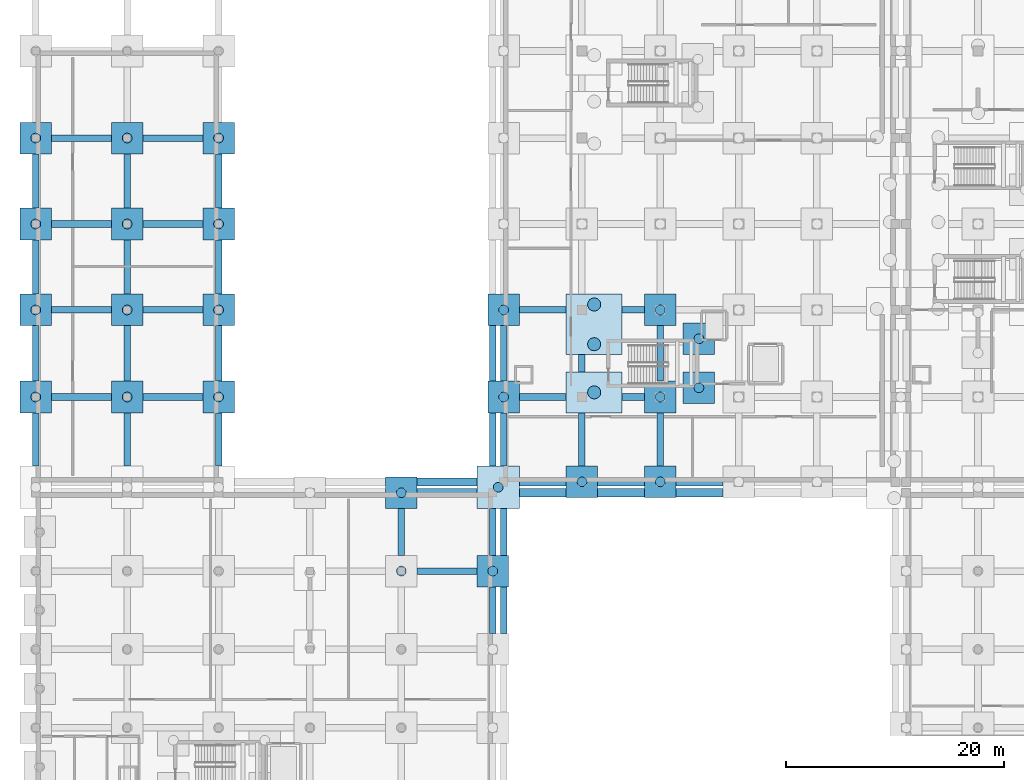
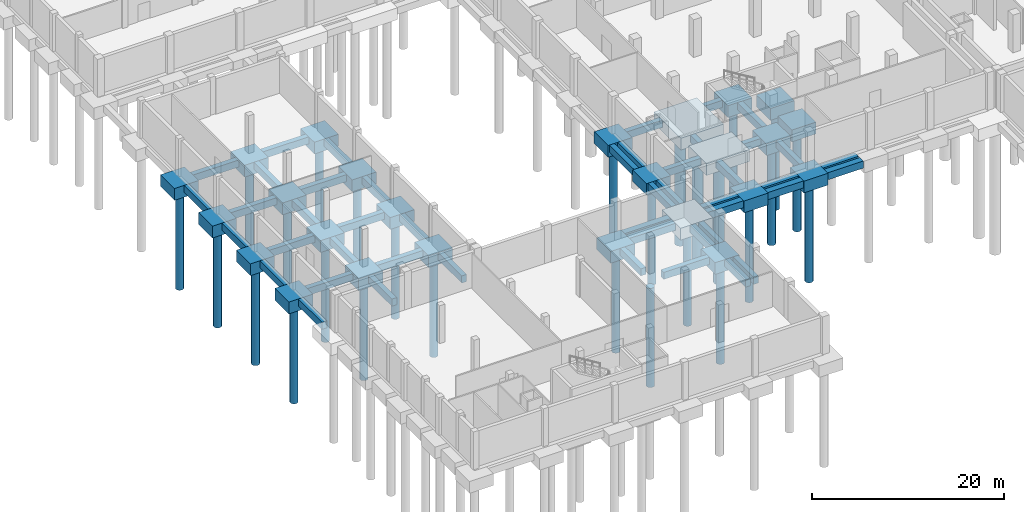
# One storey, part 2 of 29: 71 footings, 27 piles.
"""IFC4 building model written with IfcOpenShell, lengths in metres."""

from ifc_helpers import new_model, si_unit, direction, frame, origin, origin_2d, place, context, subcontext, project, spatial, polyline, rectangle, circle, outline, extrude, material, material_profile, profile_set, type_object, element, save


model = new_model("IFC4")

# Units and contexts
model_context = context("Model", 3, precision=1e-05, world=origin(), true_north=direction((0.0, 1.0)))
body_context = subcontext(model_context, "Body", "Model", "MODEL_VIEW")
ifc_project = project(units=[si_unit("LENGTHUNIT", "METRE"), si_unit("AREAUNIT", "SQUARE_METRE"), si_unit("VOLUMEUNIT", "CUBIC_METRE"), si_unit("PLANEANGLEUNIT", "RADIAN"), si_unit("MASSUNIT", "GRAM", prefix="KILO")], contexts=[model_context])

# Site, building, storey
site_placement = place(None, origin())
site = spatial("IfcSite", under=ifc_project, at=site_placement, CompositionType="ELEMENT")
building_placement = place(site_placement, origin())
building = spatial("IfcBuilding", under=site, at=building_placement, Name="Kelarvand Opera House", CompositionType="ELEMENT")
storey_placement = place(building_placement, frame((0.0, 0.0, -9.60009765625)))
storey = spatial("IfcBuildingStorey", under=building, at=storey_placement, Name="B2", CompositionType="ELEMENT", Elevation=-9.60009765625)

# Piles
ifc_material = material(Name="Concrete C40/50", Category="concrete")
ifc_material_profile_1 = material_profile(ifc_material, circle(Radius=0.60009765625, at=origin_2d()), Name="BP 1200", Category="concrete")
ifc_profile_set_1 = profile_set([ifc_material_profile_1], Name="Concrete C40/50")
pile_type_1 = type_object("IfcPileType", Name="Bored Pile 1200 Concrete C40/50", PredefinedType="BORED", material=ifc_profile_set_1)
for number, where, z_axis, x_axis, name in (
    (1, (60.324951171875, 47.02490234375, -1.7998046875), (0.0, 0.0, -1.0), (1.0, 0.0, 0.0), "V2 Bored Pile 119"),
    (2, (60.324951171875, 51.449951171875, -1.7998046875), (0.0, 0.0, -1.0), (1.0, 0.0, 0.0), "V2 Bored Pile 134"),
    (3, (60.324951171875, 55.10009765625, -1.7998046875), (0.0, 0.0, -1.0), (1.0, 0.0, 0.0), "V2 Bored Pile 135"),
):
    element("IfcPile", number, at=place(storey_placement, frame(where, z_axis=z_axis, x_axis=x_axis)), inside=storey, type_object=pile_type_1, Name=name, PredefinedType="BORED", context=body_context, shape_type="SweptSolid", body=[
        extrude(circle(Radius=0.60009765625, at=origin_2d()), origin(), (0.0, 0.0, 1.0), 15.60009765625),
    ])
ifc_material_profile_2 = material_profile(ifc_material, circle(Radius=0.449951171875, at=origin_2d()), Name="BP 900", Category="concrete")
ifc_profile_set_2 = profile_set([ifc_material_profile_2], Name="Concrete C40/50")
pile_type_2 = type_object("IfcPileType", Name="Bored Pile 900 Concrete C40/50", PredefinedType="BORED", material=ifc_profile_set_2)
for number, where, z_axis, x_axis, name in (
    (4, (42.60009765625, 30.60009765625, -1.7998046875), (0.0, 0.0, -1.0), (1.0, 0.0, 0.0), "V4 Bored Pile 76"),
    (5, (51.0, 30.60009765625, -1.7998046875), (0.0, 0.0, -1.0), (1.0, 0.0, 0.0), "V4 Bored Pile 77"),
    (6, (42.60009765625, 37.800048828125, -1.7998046875), (0.0, 0.0, -1.0), (1.0, 0.0, 0.0), "V4 Bored Pile 95"),
    (7, (51.5, 38.300048828125, -1.7998046875), (0.0, 0.0, -1.0), (1.0, 0.0, 0.0), "V2 Bored Pile 96"),
    (8, (59.199951171875, 38.800048828125, -1.7998046875), (0.0, 0.0, -1.0), (1.0, 0.0, 0.0), "V2 Bored Pile 111"),
    (9, (66.39990234375, 38.800048828125, -1.7998046875), (0.0, 0.0, -1.0), (1.0, 0.0, 0.0), "V2 Bored Pile 112"),
    (10, (9.0, 46.60009765625, -1.7998046875), (0.0, 0.0, -1.0), (1.0, 0.0, 0.0), "V4 Bored Pile 115"),
    (11, (17.39990234375, 46.60009765625, -1.7998046875), (0.0, 0.0, -1.0), (1.0, 0.0, 0.0), "V4 Bored Pile 116"),
    (12, (25.800048828125, 46.60009765625, -1.7998046875), (0.0, 0.0, -1.0), (1.0, 0.0, 0.0), "V4 Bored Pile 117"),
    (13, (52.0, 46.60009765625, -1.7998046875), (0.0, 0.0, -1.0), (1.0, 0.0, 0.0), "V2 Bored Pile 118"),
    (14, (66.39990234375, 46.60009765625, -1.7998046875), (0.0, 0.0, -1.0), (1.0, 0.0, 0.0), "V2 Bored Pile 120"),
    (15, (69.949951171875, 47.449951171875, -1.7998046875), (0.0, 0.0, -1.0), (1.0, 0.0, 0.0), "V2 Bored Pile 132"),
    (16, (69.949951171875, 51.949951171875, -1.7998046875), (0.0, 0.0, -1.0), (1.0, 0.0, 0.0), "V2 Bored Pile 136"),
    (17, (9.0, 54.60009765625, -1.7998046875), (0.0, 0.0, -1.0), (1.0, 0.0, 0.0), "V4 Bored Pile 140"),
    (18, (17.39990234375, 54.60009765625, -1.7998046875), (0.0, 0.0, -1.0), (1.0, 0.0, 0.0), "V4 Bored Pile 141"),
    (19, (25.800048828125, 54.60009765625, -1.7998046875), (0.0, 0.0, -1.0), (1.0, 0.0, 0.0), "V4 Bored Pile 142"),
    (20, (52.0, 54.60009765625, -1.7998046875), (0.0, 0.0, -1.0), (1.0, 0.0, 0.0), "V2 Bored Pile 143"),
    (21, (66.39990234375, 54.60009765625, -1.7998046875), (0.0, 0.0, -1.0), (1.0, 0.0, 0.0), "V2 Bored Pile 144"),
    (22, (9.0, 62.5, -1.7998046875), (0.0, 0.0, -1.0), (1.0, 0.0, 0.0), "V4 Bored Pile 161"),
    (23, (17.39990234375, 62.5, -1.7998046875), (0.0, 0.0, -1.0), (1.0, 0.0, 0.0), "V4 Bored Pile 162"),
    (24, (25.800048828125, 62.5, -1.7998046875), (0.0, 0.0, -1.0), (1.0, 0.0, 0.0), "V4 Bored Pile 163"),
    (25, (9.0, 70.39990234375, -1.7998046875), (0.0, 0.0, -1.0), (1.0, 0.0, 0.0), "V4 Bored Pile 180"),
    (26, (17.39990234375, 70.39990234375, -1.7998046875), (0.0, 0.0, -1.0), (1.0, 0.0, 0.0), "V4 Bored Pile 181"),
    (27, (25.800048828125, 70.39990234375, -1.7998046875), (0.0, 0.0, -1.0), (1.0, 0.0, 0.0), "V4 Bored Pile 182"),
):
    element("IfcPile", number, at=place(storey_placement, frame(where, z_axis=z_axis, x_axis=x_axis)), inside=storey, type_object=pile_type_2, Name=name, PredefinedType="BORED", context=body_context, shape_type="SweptSolid", body=[
        extrude(circle(Radius=0.449951171875, at=origin_2d()), origin(), (0.0, 0.0, 1.0), 12.60009765625),
    ])

# Footings
footing_type_1 = type_object("IfcFootingType", Name="Ground Tie Beam 600x900 Concrete C40/50", PredefinedType="FOOTING_BEAM", material=ifc_material)
footing_1_placement = place(storey_placement, frame((0.0, 0.0, -1.2998046875)))
element("IfcFooting", 28, at=footing_1_placement, inside=storey, type_object=footing_type_1, Name="Ground Beam 56", PredefinedType="FOOTING_BEAM", context=body_context, shape_type="SweptSolid", body=[
    extrude(outline(polyline([(44.050048828125, 30.300048828125), (49.550048828125, 30.300048828125), (49.550048828125, 30.89990234375), (44.050048828125, 30.89990234375), (44.050048828125, 30.300048828125)])), origin(), (0.0, 0.0, 1.0), 0.89990234375),
])
footing_2_placement = place(storey_placement, frame((0.0, 0.0, -1.2998046875)))
element("IfcFooting", 29, at=footing_2_placement, inside=storey, type_object=footing_type_1, Name="Ground Beam 113", PredefinedType="FOOTING_BEAM", context=body_context, shape_type="SweptSolid", body=[
    extrude(outline(polyline([(10.449951171875, 46.300048828125), (15.949951171875, 46.300048828125), (15.949951171875, 46.89990234375), (10.449951171875, 46.89990234375), (10.449951171875, 46.300048828125)])), origin(), (0.0, 0.0, 1.0), 0.89990234375),
])
footing_3_placement = place(storey_placement, frame((0.0, 0.0, -1.2998046875)))
element("IfcFooting", 30, at=footing_3_placement, inside=storey, type_object=footing_type_1, Name="Ground Beam 114", PredefinedType="FOOTING_BEAM", context=body_context, shape_type="SweptSolid", body=[
    extrude(outline(polyline([(18.85009765625, 46.300048828125), (24.35009765625, 46.300048828125), (24.35009765625, 46.89990234375), (18.85009765625, 46.89990234375), (18.85009765625, 46.300048828125)])), origin(), (0.0, 0.0, 1.0), 0.89990234375),
])
footing_4_placement = place(storey_placement, frame((0.0, 0.0, -1.2998046875)))
element("IfcFooting", 31, at=footing_4_placement, inside=storey, type_object=footing_type_1, Name="Ground Beam 115", PredefinedType="FOOTING_BEAM", context=body_context, shape_type="SweptSolid", body=[
    extrude(outline(polyline([(53.449951171875, 46.300048828125), (57.75, 46.300048828125), (57.75, 46.89990234375), (53.449951171875, 46.89990234375), (53.449951171875, 46.300048828125)])), origin(), (0.0, 0.0, 1.0), 0.89990234375),
])
footing_5_placement = place(storey_placement, frame((0.0, 0.0, -1.2998046875)))
element("IfcFooting", 32, at=footing_5_placement, inside=storey, type_object=footing_type_1, Name="Ground Beam 116", PredefinedType="FOOTING_BEAM", context=body_context, shape_type="SweptSolid", body=[
    extrude(outline(polyline([(62.89990234375, 46.300048828125), (64.949951171875, 46.300048828125), (64.949951171875, 46.89990234375), (62.89990234375, 46.89990234375), (62.89990234375, 46.300048828125)])), origin(), (0.0, 0.0, 1.0), 0.89990234375),
])
footing_6_placement = place(storey_placement, frame((0.0, 0.0, -1.2998046875)))
element("IfcFooting", 33, at=footing_6_placement, inside=storey, type_object=footing_type_1, Name="Ground Beam 127", PredefinedType="FOOTING_BEAM", context=body_context, shape_type="SweptSolid", body=[
    extrude(outline(polyline([(10.449951171875, 54.300048828125), (15.949951171875, 54.300048828125), (15.949951171875, 54.89990234375), (10.449951171875, 54.89990234375), (10.449951171875, 54.300048828125)])), origin(), (0.0, 0.0, 1.0), 0.89990234375),
])
footing_7_placement = place(storey_placement, frame((0.0, 0.0, -1.2998046875)))
element("IfcFooting", 34, at=footing_7_placement, inside=storey, type_object=footing_type_1, Name="Ground Beam 128", PredefinedType="FOOTING_BEAM", context=body_context, shape_type="SweptSolid", body=[
    extrude(outline(polyline([(18.85009765625, 54.300048828125), (24.35009765625, 54.300048828125), (24.35009765625, 54.89990234375), (18.85009765625, 54.89990234375), (18.85009765625, 54.300048828125)])), origin(), (0.0, 0.0, 1.0), 0.89990234375),
])
footing_8_placement = place(storey_placement, frame((0.0, 0.0, -1.2998046875)))
element("IfcFooting", 35, at=footing_8_placement, inside=storey, type_object=footing_type_1, Name="Ground Beam 129", PredefinedType="FOOTING_BEAM", context=body_context, shape_type="SweptSolid", body=[
    extrude(outline(polyline([(53.449951171875, 54.300048828125), (57.75, 54.300048828125), (57.75, 54.89990234375), (53.449951171875, 54.89990234375), (53.449951171875, 54.300048828125)])), origin(), (0.0, 0.0, 1.0), 0.89990234375),
])
footing_9_placement = place(storey_placement, frame((0.0, 0.0, -1.2998046875)))
element("IfcFooting", 36, at=footing_9_placement, inside=storey, type_object=footing_type_1, Name="Ground Beam 130", PredefinedType="FOOTING_BEAM", context=body_context, shape_type="SweptSolid", body=[
    extrude(outline(polyline([(62.89990234375, 54.300048828125), (64.949951171875, 54.300048828125), (64.949951171875, 54.89990234375), (62.89990234375, 54.89990234375), (62.89990234375, 54.300048828125)])), origin(), (0.0, 0.0, 1.0), 0.89990234375),
])
footing_10_placement = place(storey_placement, frame((0.0, 0.0, -1.2998046875)))
element("IfcFooting", 37, at=footing_10_placement, inside=storey, type_object=footing_type_1, Name="Ground Beam 142", PredefinedType="FOOTING_BEAM", context=body_context, shape_type="SweptSolid", body=[
    extrude(outline(polyline([(10.449951171875, 62.199951171875), (15.949951171875, 62.199951171875), (15.949951171875, 62.800048828125), (10.449951171875, 62.800048828125), (10.449951171875, 62.199951171875)])), origin(), (0.0, 0.0, 1.0), 0.89990234375),
])
footing_11_placement = place(storey_placement, frame((0.0, 0.0, -1.2998046875)))
element("IfcFooting", 38, at=footing_11_placement, inside=storey, type_object=footing_type_1, Name="Ground Beam 143", PredefinedType="FOOTING_BEAM", context=body_context, shape_type="SweptSolid", body=[
    extrude(outline(polyline([(18.85009765625, 62.199951171875), (24.35009765625, 62.199951171875), (24.35009765625, 62.800048828125), (18.85009765625, 62.800048828125), (18.85009765625, 62.199951171875)])), origin(), (0.0, 0.0, 1.0), 0.89990234375),
])
footing_12_placement = place(storey_placement, frame((0.0, 0.0, -1.2998046875)))
element("IfcFooting", 39, at=footing_12_placement, inside=storey, type_object=footing_type_1, Name="Ground Beam 156", PredefinedType="FOOTING_BEAM", context=body_context, shape_type="SweptSolid", body=[
    extrude(outline(polyline([(10.449951171875, 70.10009765625), (15.949951171875, 70.10009765625), (15.949951171875, 70.699951171875), (10.449951171875, 70.699951171875), (10.449951171875, 70.10009765625)])), origin(), (0.0, 0.0, 1.0), 0.89990234375),
])
footing_13_placement = place(storey_placement, frame((0.0, 0.0, -1.2998046875)))
element("IfcFooting", 40, at=footing_13_placement, inside=storey, type_object=footing_type_1, Name="Ground Beam 157", PredefinedType="FOOTING_BEAM", context=body_context, shape_type="SweptSolid", body=[
    extrude(outline(polyline([(18.85009765625, 70.10009765625), (24.35009765625, 70.10009765625), (24.35009765625, 70.699951171875), (18.85009765625, 70.699951171875), (18.85009765625, 70.10009765625)])), origin(), (0.0, 0.0, 1.0), 0.89990234375),
])
footing_14_placement = place(storey_placement, frame((0.0, 0.0, -1.2998046875)))
element("IfcFooting", 41, at=footing_14_placement, inside=storey, type_object=footing_type_1, Name="Ground Beam 263", PredefinedType="FOOTING_BEAM", context=body_context, shape_type="SweptSolid", body=[
    extrude(outline(polyline([(8.699951171875, 40.25), (9.300048828125, 40.25), (9.300048828125, 45.14990234375), (8.699951171875, 45.14990234375), (8.699951171875, 40.25)])), origin(), (0.0, 0.0, 1.0), 0.89990234375),
])
footing_15_placement = place(storey_placement, frame((0.0, 0.0, -1.2998046875)))
element("IfcFooting", 42, at=footing_15_placement, inside=storey, type_object=footing_type_1, Name="Ground Beam 264", PredefinedType="FOOTING_BEAM", context=body_context, shape_type="SweptSolid", body=[
    extrude(outline(polyline([(8.699951171875, 48.050048828125), (9.300048828125, 48.050048828125), (9.300048828125, 53.14990234375), (8.699951171875, 53.14990234375), (8.699951171875, 48.050048828125)])), origin(), (0.0, 0.0, 1.0), 0.89990234375),
])
footing_16_placement = place(storey_placement, frame((0.0, 0.0, -1.2998046875)))
element("IfcFooting", 43, at=footing_16_placement, inside=storey, type_object=footing_type_1, Name="Ground Beam 265", PredefinedType="FOOTING_BEAM", context=body_context, shape_type="SweptSolid", body=[
    extrude(outline(polyline([(8.699951171875, 56.050048828125), (9.300048828125, 56.050048828125), (9.300048828125, 61.050048828125), (8.699951171875, 61.050048828125), (8.699951171875, 56.050048828125)])), origin(), (0.0, 0.0, 1.0), 0.89990234375),
])
footing_17_placement = place(storey_placement, frame((0.0, 0.0, -1.2998046875)))
element("IfcFooting", 44, at=footing_17_placement, inside=storey, type_object=footing_type_1, Name="Ground Beam 266", PredefinedType="FOOTING_BEAM", context=body_context, shape_type="SweptSolid", body=[
    extrude(outline(polyline([(8.699951171875, 63.949951171875), (9.300048828125, 63.949951171875), (9.300048828125, 68.949951171875), (8.699951171875, 68.949951171875), (8.699951171875, 63.949951171875)])), origin(), (0.0, 0.0, 1.0), 0.89990234375),
])
footing_18_placement = place(storey_placement, frame((0.0, 0.0, -1.2998046875)))
element("IfcFooting", 45, at=footing_18_placement, inside=storey, type_object=footing_type_1, Name="Ground Beam 281", PredefinedType="FOOTING_BEAM", context=body_context, shape_type="SweptSolid", body=[
    extrude(outline(polyline([(17.10009765625, 40.25), (17.699951171875, 40.25), (17.699951171875, 45.14990234375), (17.10009765625, 45.14990234375), (17.10009765625, 40.25)])), origin(), (0.0, 0.0, 1.0), 0.89990234375),
])
footing_19_placement = place(storey_placement, frame((0.0, 0.0, -1.2998046875)))
element("IfcFooting", 46, at=footing_19_placement, inside=storey, type_object=footing_type_1, Name="Ground Beam 282", PredefinedType="FOOTING_BEAM", context=body_context, shape_type="SweptSolid", body=[
    extrude(outline(polyline([(17.10009765625, 48.050048828125), (17.699951171875, 48.050048828125), (17.699951171875, 53.14990234375), (17.10009765625, 53.14990234375), (17.10009765625, 48.050048828125)])), origin(), (0.0, 0.0, 1.0), 0.89990234375),
])
footing_20_placement = place(storey_placement, frame((0.0, 0.0, -1.2998046875)))
element("IfcFooting", 47, at=footing_20_placement, inside=storey, type_object=footing_type_1, Name="Ground Beam 283", PredefinedType="FOOTING_BEAM", context=body_context, shape_type="SweptSolid", body=[
    extrude(outline(polyline([(17.10009765625, 56.050048828125), (17.699951171875, 56.050048828125), (17.699951171875, 61.050048828125), (17.10009765625, 61.050048828125), (17.10009765625, 56.050048828125)])), origin(), (0.0, 0.0, 1.0), 0.89990234375),
])
footing_21_placement = place(storey_placement, frame((0.0, 0.0, -1.2998046875)))
element("IfcFooting", 48, at=footing_21_placement, inside=storey, type_object=footing_type_1, Name="Ground Beam 284", PredefinedType="FOOTING_BEAM", context=body_context, shape_type="SweptSolid", body=[
    extrude(outline(polyline([(17.10009765625, 63.949951171875), (17.699951171875, 63.949951171875), (17.699951171875, 68.949951171875), (17.10009765625, 68.949951171875), (17.10009765625, 63.949951171875)])), origin(), (0.0, 0.0, 1.0), 0.89990234375),
])
footing_22_placement = place(storey_placement, frame((0.0, 0.0, -1.2998046875)))
element("IfcFooting", 49, at=footing_22_placement, inside=storey, type_object=footing_type_1, Name="Ground Beam 295", PredefinedType="FOOTING_BEAM", context=body_context, shape_type="SweptSolid", body=[
    extrude(outline(polyline([(25.5, 40.25), (26.10009765625, 40.25), (26.10009765625, 45.14990234375), (25.5, 45.14990234375), (25.5, 40.25)])), origin(), (0.0, 0.0, 1.0), 0.89990234375),
])
footing_23_placement = place(storey_placement, frame((0.0, 0.0, -1.2998046875)))
element("IfcFooting", 50, at=footing_23_placement, inside=storey, type_object=footing_type_1, Name="Ground Beam 296", PredefinedType="FOOTING_BEAM", context=body_context, shape_type="SweptSolid", body=[
    extrude(outline(polyline([(25.5, 48.050048828125), (26.10009765625, 48.050048828125), (26.10009765625, 53.14990234375), (25.5, 53.14990234375), (25.5, 48.050048828125)])), origin(), (0.0, 0.0, 1.0), 0.89990234375),
])
footing_24_placement = place(storey_placement, frame((0.0, 0.0, -1.2998046875)))
element("IfcFooting", 51, at=footing_24_placement, inside=storey, type_object=footing_type_1, Name="Ground Beam 297", PredefinedType="FOOTING_BEAM", context=body_context, shape_type="SweptSolid", body=[
    extrude(outline(polyline([(25.5, 56.050048828125), (26.10009765625, 56.050048828125), (26.10009765625, 61.050048828125), (25.5, 61.050048828125), (25.5, 56.050048828125)])), origin(), (0.0, 0.0, 1.0), 0.89990234375),
])
footing_25_placement = place(storey_placement, frame((0.0, 0.0, -1.2998046875)))
element("IfcFooting", 52, at=footing_25_placement, inside=storey, type_object=footing_type_1, Name="Ground Beam 298", PredefinedType="FOOTING_BEAM", context=body_context, shape_type="SweptSolid", body=[
    extrude(outline(polyline([(25.5, 63.949951171875), (26.10009765625, 63.949951171875), (26.10009765625, 68.949951171875), (25.5, 68.949951171875), (25.5, 63.949951171875)])), origin(), (0.0, 0.0, 1.0), 0.89990234375),
])
footing_26_placement = place(storey_placement, frame((0.0, 0.0, -1.2998046875)))
element("IfcFooting", 53, at=footing_26_placement, inside=storey, type_object=footing_type_1, Name="Ground Beam 316", PredefinedType="FOOTING_BEAM", context=body_context, shape_type="SweptSolid", body=[
    extrude(outline(polyline([(42.300048828125, 32.050048828125), (42.89990234375, 32.050048828125), (42.89990234375, 36.35009765625), (42.300048828125, 36.35009765625), (42.300048828125, 32.050048828125)])), origin(), (0.0, 0.0, 1.0), 0.89990234375),
])
footing_27_placement = place(storey_placement, frame((0.0, 0.0, -1.2998046875)))
element("IfcFooting", 54, at=footing_27_placement, inside=storey, type_object=footing_type_1, Name="Ground Beam 323", PredefinedType="FOOTING_BEAM", context=body_context, shape_type="SweptSolid", body=[
    extrude(outline(polyline([(50.699951171875, 24.85009765625), (51.300048828125, 24.85009765625), (51.300048828125, 29.14990234375), (50.699951171875, 29.14990234375), (50.699951171875, 24.85009765625)])), origin(), (0.0, 0.0, 1.0), 0.89990234375),
])
footing_28_placement = place(storey_placement, frame((0.0, 0.0, -1.2998046875)))
element("IfcFooting", 55, at=footing_28_placement, inside=storey, type_object=footing_type_1, Name="Ground Beam 324", PredefinedType="FOOTING_BEAM", context=body_context, shape_type="SweptSolid", body=[
    extrude(outline(polyline([(50.699951171875, 32.050048828125), (51.300048828125, 32.050048828125), (51.300048828125, 36.35009765625), (50.699951171875, 36.35009765625), (50.699951171875, 32.050048828125)])), origin(), (0.0, 0.0, 1.0), 0.89990234375),
])
footing_29_placement = place(storey_placement, frame((0.0, 0.0, -1.2998046875)))
element("IfcFooting", 56, at=footing_29_placement, inside=storey, type_object=footing_type_1, Name="Ground Beam 325", PredefinedType="FOOTING_BEAM", context=body_context, shape_type="SweptSolid", body=[
    extrude(outline(polyline([(50.699951171875, 40.25), (51.300048828125, 40.25), (51.300048828125, 45.14990234375), (50.699951171875, 45.14990234375), (50.699951171875, 40.25)])), origin(), (0.0, 0.0, 1.0), 0.89990234375),
])
footing_30_placement = place(storey_placement, frame((0.0, 0.0, -1.2998046875)))
element("IfcFooting", 57, at=footing_30_placement, inside=storey, type_object=footing_type_1, Name="Ground Beam 326", PredefinedType="FOOTING_BEAM", context=body_context, shape_type="SweptSolid", body=[
    extrude(outline(polyline([(50.699951171875, 48.050048828125), (51.300048828125, 48.050048828125), (51.300048828125, 53.14990234375), (50.699951171875, 53.14990234375), (50.699951171875, 48.050048828125)])), origin(), (0.0, 0.0, 1.0), 0.89990234375),
])
footing_31_placement = place(storey_placement, frame((0.0, 0.0, -1.2998046875)))
element("IfcFooting", 58, at=footing_31_placement, inside=storey, type_object=footing_type_1, Name="Ground Beam 337", PredefinedType="FOOTING_BEAM", context=body_context, shape_type="SweptSolid", body=[
    extrude(outline(polyline([(51.699951171875, 24.85009765625), (52.300048828125, 24.85009765625), (52.300048828125, 29.14990234375), (51.699951171875, 29.14990234375), (51.699951171875, 24.85009765625)])), origin(), (0.0, 0.0, 1.0), 0.89990234375),
])
footing_32_placement = place(storey_placement, frame((0.0, 0.0, -1.2998046875)))
element("IfcFooting", 59, at=footing_32_placement, inside=storey, type_object=footing_type_1, Name="Ground Beam 338", PredefinedType="FOOTING_BEAM", context=body_context, shape_type="SweptSolid", body=[
    extrude(outline(polyline([(51.699951171875, 32.050048828125), (52.300048828125, 32.050048828125), (52.300048828125, 36.35009765625), (51.699951171875, 36.35009765625), (51.699951171875, 32.050048828125)])), origin(), (0.0, 0.0, 1.0), 0.89990234375),
])
footing_33_placement = place(storey_placement, frame((0.0, 0.0, -1.2998046875)))
element("IfcFooting", 60, at=footing_33_placement, inside=storey, type_object=footing_type_1, Name="Ground Beam 339", PredefinedType="FOOTING_BEAM", context=body_context, shape_type="SweptSolid", body=[
    extrude(outline(polyline([(51.699951171875, 40.25), (52.300048828125, 40.25), (52.300048828125, 45.14990234375), (51.699951171875, 45.14990234375), (51.699951171875, 40.25)])), origin(), (0.0, 0.0, 1.0), 0.89990234375),
])
footing_34_placement = place(storey_placement, frame((0.0, 0.0, -1.2998046875)))
element("IfcFooting", 61, at=footing_34_placement, inside=storey, type_object=footing_type_1, Name="Ground Beam 340", PredefinedType="FOOTING_BEAM", context=body_context, shape_type="SweptSolid", body=[
    extrude(outline(polyline([(51.699951171875, 48.050048828125), (52.300048828125, 48.050048828125), (52.300048828125, 53.14990234375), (51.699951171875, 53.14990234375), (51.699951171875, 48.050048828125)])), origin(), (0.0, 0.0, 1.0), 0.89990234375),
])
footing_35_placement = place(storey_placement, frame((0.0, 0.0, -1.2998046875)))
element("IfcFooting", 62, at=footing_35_placement, inside=storey, type_object=footing_type_1, Name="Ground Beam 349", PredefinedType="FOOTING_BEAM", context=body_context, shape_type="SweptSolid", body=[
    extrude(outline(polyline([(58.89990234375, 40.25), (59.5, 40.25), (59.5, 45.14990234375), (58.89990234375, 45.14990234375), (58.89990234375, 40.25)])), origin(), (0.0, 0.0, 1.0), 0.89990234375),
])
footing_36_placement = place(storey_placement, frame((0.0, 0.0, -1.2998046875)))
element("IfcFooting", 63, at=footing_36_placement, inside=storey, type_object=footing_type_1, Name="Ground Beam 350", PredefinedType="FOOTING_BEAM", context=body_context, shape_type="SweptSolid", body=[
    extrude(outline(polyline([(58.89990234375, 48.89990234375), (59.5, 48.89990234375), (59.5, 50.5), (58.89990234375, 50.5), (58.89990234375, 48.89990234375)])), origin(), (0.0, 0.0, 1.0), 0.89990234375),
])
footing_37_placement = place(storey_placement, frame((0.0, 0.0, -1.2998046875)))
element("IfcFooting", 64, at=footing_37_placement, inside=storey, type_object=footing_type_1, Name="Ground Beam 355", PredefinedType="FOOTING_BEAM", context=body_context, shape_type="SweptSolid", body=[
    extrude(outline(polyline([(66.10009765625, 40.25), (66.699951171875, 40.25), (66.699951171875, 45.14990234375), (66.10009765625, 45.14990234375), (66.10009765625, 40.25)])), origin(), (0.0, 0.0, 1.0), 0.89990234375),
])
footing_38_placement = place(storey_placement, frame((0.0, 0.0, -1.2998046875)))
element("IfcFooting", 65, at=footing_38_placement, inside=storey, type_object=footing_type_1, Name="Ground Beam 356", PredefinedType="FOOTING_BEAM", context=body_context, shape_type="SweptSolid", body=[
    extrude(outline(polyline([(66.10009765625, 48.050048828125), (66.699951171875, 48.050048828125), (66.699951171875, 53.14990234375), (66.10009765625, 53.14990234375), (66.10009765625, 48.050048828125)])), origin(), (0.0, 0.0, 1.0), 0.89990234375),
])
footing_type_2 = type_object("IfcFootingType", Name="Perimeter Strip Footing 750x900 Concrete C40/50", PredefinedType="STRIP_FOOTING", material=ifc_material)
footing_39_placement = place(storey_placement, frame((0.0, 0.0, -1.2998046875)))
element("IfcFooting", 66, at=footing_39_placement, inside=storey, type_object=footing_type_2, Name="Ground Beam 73", PredefinedType="STRIP_FOOTING", context=body_context, shape_type="SweptSolid", body=[
    extrude(outline(polyline([(44.050048828125, 37.425048828125), (49.550048828125, 37.425048828125), (49.550048828125, 38.175048828125), (44.050048828125, 38.175048828125), (44.050048828125, 37.425048828125)])), origin(), (0.0, 0.0, 1.0), 0.89990234375),
])
footing_40_placement = place(storey_placement, frame((0.0, 0.0, -1.2998046875)))
element("IfcFooting", 67, at=footing_40_placement, inside=storey, type_object=footing_type_2, Name="Ground Beam 74", PredefinedType="STRIP_FOOTING", context=body_context, shape_type="SweptSolid", body=[
    extrude(outline(polyline([(53.449951171875, 37.425048828125), (57.75, 37.425048828125), (57.75, 38.175048828125), (53.449951171875, 38.175048828125), (53.449951171875, 37.425048828125)])), origin(), (0.0, 0.0, 1.0), 0.89990234375),
])
footing_41_placement = place(storey_placement, frame((0.0, 0.0, -1.2998046875)))
element("IfcFooting", 68, at=footing_41_placement, inside=storey, type_object=footing_type_2, Name="Ground Beam 75", PredefinedType="STRIP_FOOTING", context=body_context, shape_type="SweptSolid", body=[
    extrude(outline(polyline([(60.64990234375, 37.425048828125), (64.949951171875, 37.425048828125), (64.949951171875, 38.175048828125), (60.64990234375, 38.175048828125), (60.64990234375, 37.425048828125)])), origin(), (0.0, 0.0, 1.0), 0.89990234375),
])
footing_42_placement = place(storey_placement, frame((0.0, 0.0, -1.2998046875)))
element("IfcFooting", 69, at=footing_42_placement, inside=storey, type_object=footing_type_2, Name="Ground Beam 76", PredefinedType="STRIP_FOOTING", context=body_context, shape_type="SweptSolid", body=[
    extrude(outline(polyline([(67.85009765625, 37.425048828125), (72.14990234375, 37.425048828125), (72.14990234375, 38.175048828125), (67.85009765625, 38.175048828125), (67.85009765625, 37.425048828125)])), origin(), (0.0, 0.0, 1.0), 0.89990234375),
])
footing_43_placement = place(storey_placement, frame((0.0, 0.0, -1.2998046875)))
element("IfcFooting", 70, at=footing_43_placement, inside=storey, type_object=footing_type_2, Name="Ground Beam 95", PredefinedType="STRIP_FOOTING", context=body_context, shape_type="SweptSolid", body=[
    extrude(outline(polyline([(44.050048828125, 38.425048828125), (49.550048828125, 38.425048828125), (49.550048828125, 39.175048828125), (44.050048828125, 39.175048828125), (44.050048828125, 38.425048828125)])), origin(), (0.0, 0.0, 1.0), 0.89990234375),
])
footing_44_placement = place(storey_placement, frame((0.0, 0.0, -1.2998046875)))
element("IfcFooting", 71, at=footing_44_placement, inside=storey, type_object=footing_type_2, Name="Ground Beam 96", PredefinedType="STRIP_FOOTING", context=body_context, shape_type="SweptSolid", body=[
    extrude(outline(polyline([(53.449951171875, 38.425048828125), (57.75, 38.425048828125), (57.75, 39.175048828125), (53.449951171875, 39.175048828125), (53.449951171875, 38.425048828125)])), origin(), (0.0, 0.0, 1.0), 0.89990234375),
])
footing_45_placement = place(storey_placement, frame((0.0, 0.0, -1.2998046875)))
element("IfcFooting", 72, at=footing_45_placement, inside=storey, type_object=footing_type_2, Name="Ground Beam 97", PredefinedType="STRIP_FOOTING", context=body_context, shape_type="SweptSolid", body=[
    extrude(outline(polyline([(60.64990234375, 38.425048828125), (64.949951171875, 38.425048828125), (64.949951171875, 39.175048828125), (60.64990234375, 39.175048828125), (60.64990234375, 38.425048828125)])), origin(), (0.0, 0.0, 1.0), 0.89990234375),
])
footing_46_placement = place(storey_placement, frame((0.0, 0.0, -1.2998046875)))
element("IfcFooting", 73, at=footing_46_placement, inside=storey, type_object=footing_type_2, Name="Ground Beam 98", PredefinedType="STRIP_FOOTING", context=body_context, shape_type="SweptSolid", body=[
    extrude(outline(polyline([(67.85009765625, 38.425048828125), (72.14990234375, 38.425048828125), (72.14990234375, 39.175048828125), (67.85009765625, 39.175048828125), (67.85009765625, 38.425048828125)])), origin(), (0.0, 0.0, 1.0), 0.89990234375),
])
footing_type_3 = type_object("IfcFootingType", Name="Pile Cap 2900x2900x1500 PC-01", PredefinedType="PILE_CAP", material=ifc_material)
for number, where, z_axis, x_axis, name in (
    (74, (51.0, 30.60009765625, -1.89990234375), (0.0, 0.0, 1.0), (1.0, 0.0, 0.0), "V4 Pile Cap PC-01 (71)"),
    (75, (42.60009765625, 37.800048828125, -1.89990234375), (0.0, 0.0, 1.0), (1.0, 0.0, 0.0), "V4 Pile Cap PC-01 (89)"),
    (76, (59.199951171875, 38.800048828125, -1.89990234375), (0.0, 0.0, 1.0), (1.0, 0.0, 0.0), "V2 Pile Cap PC-01 (104)"),
    (77, (66.39990234375, 38.800048828125, -1.89990234375), (0.0, 0.0, 1.0), (1.0, 0.0, 0.0), "V2 Pile Cap PC-01 (105)"),
    (78, (9.0, 46.60009765625, -1.89990234375), (0.0, 0.0, 1.0), (1.0, 0.0, 0.0), "V4 Pile Cap PC-01 (108)"),
    (79, (17.39990234375, 46.60009765625, -1.89990234375), (0.0, 0.0, 1.0), (1.0, 0.0, 0.0), "V4 Pile Cap PC-01 (109)"),
    (80, (25.800048828125, 46.60009765625, -1.89990234375), (0.0, 0.0, 1.0), (1.0, 0.0, 0.0), "V4 Pile Cap PC-01 (110)"),
    (81, (52.0, 46.60009765625, -1.89990234375), (0.0, 0.0, 1.0), (1.0, 0.0, 0.0), "V2 Pile Cap PC-01 (111)"),
    (82, (66.39990234375, 46.60009765625, -1.89990234375), (0.0, 0.0, 1.0), (1.0, 0.0, 0.0), "V2 Pile Cap PC-01 (113)"),
    (83, (69.949951171875, 47.449951171875, -1.89990234375), (0.0, 0.0, 1.0), (1.0, 0.0, 0.0), "V2 Pile Cap PC-01 (125)"),
    (84, (69.949951171875, 51.949951171875, -1.89990234375), (0.0, 0.0, 1.0), (1.0, 0.0, 0.0), "V2 Pile Cap PC-01 (128)"),
    (85, (9.0, 54.60009765625, -1.89990234375), (0.0, 0.0, 1.0), (1.0, 0.0, 0.0), "V4 Pile Cap PC-01 (131)"),
    (86, (17.39990234375, 54.60009765625, -1.89990234375), (0.0, 0.0, 1.0), (1.0, 0.0, 0.0), "V4 Pile Cap PC-01 (132)"),
    (87, (25.800048828125, 54.60009765625, -1.89990234375), (0.0, 0.0, 1.0), (1.0, 0.0, 0.0), "V4 Pile Cap PC-01 (133)"),
    (88, (52.0, 54.60009765625, -1.89990234375), (0.0, 0.0, 1.0), (1.0, 0.0, 0.0), "V2 Pile Cap PC-01 (134)"),
    (89, (66.39990234375, 54.60009765625, -1.89990234375), (0.0, 0.0, 1.0), (1.0, 0.0, 0.0), "V2 Pile Cap PC-01 (135)"),
    (90, (9.0, 62.5, -1.89990234375), (0.0, 0.0, 1.0), (1.0, 0.0, 0.0), "V4 Pile Cap PC-01 (147)"),
    (91, (17.39990234375, 62.5, -1.89990234375), (0.0, 0.0, 1.0), (1.0, 0.0, 0.0), "V4 Pile Cap PC-01 (148)"),
    (92, (25.800048828125, 62.5, -1.89990234375), (0.0, 0.0, 1.0), (1.0, 0.0, 0.0), "V4 Pile Cap PC-01 (149)"),
    (93, (9.0, 70.39990234375, -1.89990234375), (0.0, 0.0, 1.0), (1.0, 0.0, 0.0), "V4 Pile Cap PC-01 (165)"),
    (94, (17.39990234375, 70.39990234375, -1.89990234375), (0.0, 0.0, 1.0), (1.0, 0.0, 0.0), "V4 Pile Cap PC-01 (166)"),
    (95, (25.800048828125, 70.39990234375, -1.89990234375), (0.0, 0.0, 1.0), (1.0, 0.0, 0.0), "V4 Pile Cap PC-01 (167)"),
):
    element("IfcFooting", number, at=place(storey_placement, frame(where, z_axis=z_axis, x_axis=x_axis)), inside=storey, type_object=footing_type_3, Name=name, PredefinedType="PILE_CAP", context=body_context, shape_type="SweptSolid", body=[
        extrude(rectangle(XDim=2.89990234375, YDim=2.89990234375, at=origin_2d()), origin(), (0.0, 0.0, 1.0), 1.5),
    ])
footing_type_4 = type_object("IfcFootingType", Name="Pile Cap 3900x3900x1500 PC-11", PredefinedType="PILE_CAP", material=ifc_material)
footing_47_placement = place(storey_placement, frame((51.5, 38.300048828125, -1.89990234375), z_axis=(0.0, 0.0, 1.0), x_axis=(1.0, 0.0, 0.0)))
element("IfcFooting", 96, at=footing_47_placement, inside=storey, type_object=footing_type_4, Name="V2 Pile Cap PC-11 (90)", PredefinedType="PILE_CAP", context=body_context, shape_type="SweptSolid", body=[
    extrude(rectangle(XDim=3.89990234375, YDim=3.89990234375, at=origin_2d()), origin(), (0.0, 0.0, 1.0), 1.5),
])
footing_type_5 = type_object("IfcFootingType", Name="Pile Cap 5150x3750x1500 PC-13", PredefinedType="PILE_CAP", material=ifc_material)
footing_48_placement = place(storey_placement, frame((60.324951171875, 47.02490234375, -1.89990234375), z_axis=(0.0, 0.0, 1.0), x_axis=(1.0, 0.0, 0.0)))
element("IfcFooting", 97, at=footing_48_placement, inside=storey, type_object=footing_type_5, Name="V2 Pile Cap PC-13 (112)", PredefinedType="PILE_CAP", context=body_context, shape_type="SweptSolid", body=[
    extrude(rectangle(XDim=5.14990234375, YDim=3.75, at=origin_2d()), origin(), (0.0, 0.0, 1.0), 1.5),
])
footing_type_6 = type_object("IfcFootingType", Name="Pile Cap 5150x5550x1500 PC-15", PredefinedType="PILE_CAP", material=ifc_material)
footing_49_placement = place(storey_placement, frame((60.324951171875, 53.27490234375, -1.89990234375), z_axis=(0.0, 0.0, 1.0), x_axis=(1.0, 0.0, 0.0)))
element("IfcFooting", 98, at=footing_49_placement, inside=storey, type_object=footing_type_6, Name="V2 Pile Cap PC-15 (127)", PredefinedType="PILE_CAP", context=body_context, shape_type="SweptSolid", body=[
    extrude(rectangle(XDim=5.14990234375, YDim=5.550048828125, at=origin_2d()), origin(), (0.0, 0.0, 1.0), 1.5),
])

save(model, "model.ifc")
